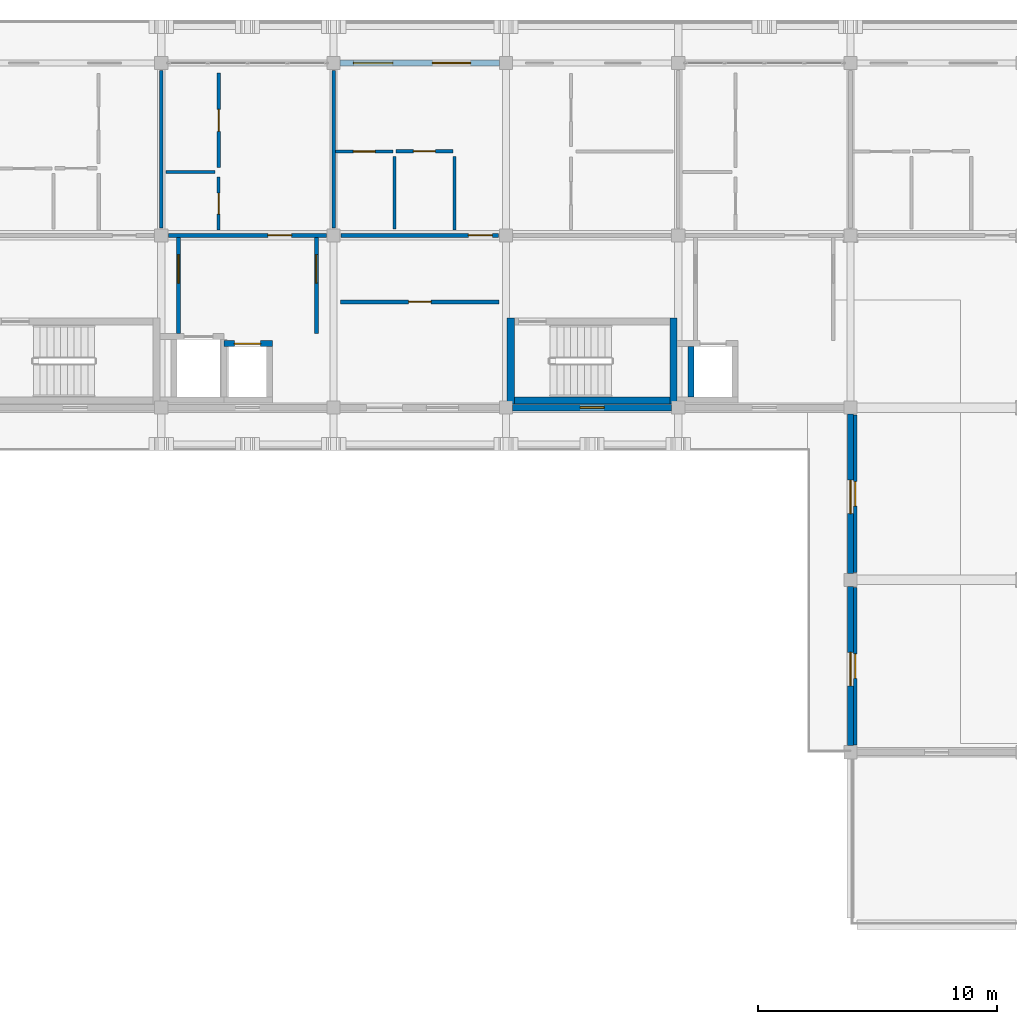
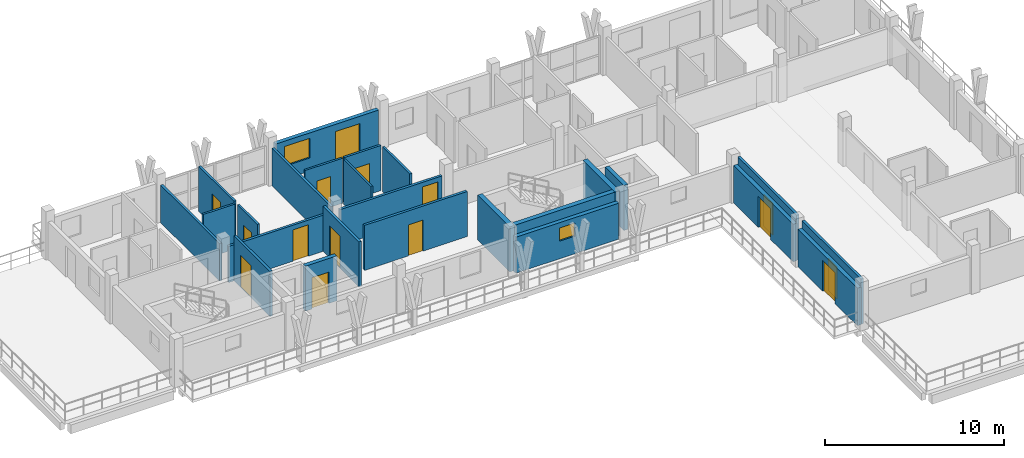
# One storey, part 45 of 60: 25 walls, 15 doors, 2 windows, 17 openings.
"""IFC4 building model written with IfcOpenShell, lengths in metres."""

from ifc_helpers import new_model, si_unit, direction, frame, frame_2d, origin, place, context, subcontext, project, spatial, rectangle, extrude, material, layer, layer_set, type_object, element, fill, save


model = new_model("IFC4")

# Units and contexts
model_context = context("Model", 3, precision=1e-05, world=origin(), true_north=direction((0.0, 1.0)))
body_context = subcontext(model_context, "Body", "Model", "MODEL_VIEW")
ifc_project = project(units=[si_unit("LENGTHUNIT", "METRE"), si_unit("AREAUNIT", "SQUARE_METRE"), si_unit("VOLUMEUNIT", "CUBIC_METRE"), si_unit("PLANEANGLEUNIT", "RADIAN"), si_unit("MASSUNIT", "GRAM", prefix="KILO")], contexts=[model_context])

# Site, building, storey
site_placement = place(None, origin())
site = spatial("IfcSite", under=ifc_project, at=site_placement, CompositionType="ELEMENT")
building_placement = place(site_placement, origin())
building = spatial("IfcBuilding", under=site, at=building_placement, Name="Suanplinth Sawtooth Commons", CompositionType="ELEMENT")
storey_placement = place(building_placement, frame((0.0, 0.0, 31.5)))
storey = spatial("IfcBuildingStorey", under=building, at=storey_placement, Name="L09", CompositionType="ELEMENT", Elevation=31.5)

# Walls
ifc_material_1 = material(Name="Concrete C40/50", Category="concrete")
ifc_layer_1 = layer(ifc_material_1, 0.300048828125, Name="Standard RC stair and lift core wall 300mm")
ifc_layer_set_1 = layer_set([ifc_layer_1], Name="Concrete C40/50")
wall_type_1 = type_object("IfcWallType", Name="W-CR02", PredefinedType="SHEAR", material=ifc_layer_set_1)
wall_1_placement = place(storey_placement, frame((158.75, 108.300048828125, 0.0), z_axis=(0.0, 0.0, 1.0), x_axis=(1.0, 0.0, 0.0)))
element("IfcWall", 1, at=wall_1_placement, inside=storey, type_object=wall_type_1, Name="W-L09-C-B2-STS", PredefinedType="SHEAR", context=body_context, shape_type="SweptSolid", body=[
    extrude(rectangle(XDim=6.5, YDim=0.300048828125, at=frame_2d((3.25, 0.0))), origin(), (0.0, 0.0, 1.0), 3.080078125),
])
for number, where, z_axis, x_axis, name in (
    (2, (158.60009765625, 108.14990234375, 0.0), (0.0, 0.0, 1.0), (0.0, 1.0, 0.0), "W-L09-C-B2-STW"),
    (3, (165.39990234375, 108.14990234375, 0.0), (0.0, 0.0, 1.0), (0.0, 1.0, 0.0), "W-L09-C-B2-STE"),
):
    element("IfcWall", number, at=place(storey_placement, frame(where, z_axis=z_axis, x_axis=x_axis)), inside=storey, type_object=wall_type_1, Name=name, PredefinedType="SHEAR", context=body_context, shape_type="SweptSolid", body=[
        extrude(rectangle(XDim=3.60009765625, YDim=0.300048828125, at=frame_2d((1.800048828125, 0.0))), origin(), (0.0, 0.0, 1.0), 3.080078125),
    ])

# Wall, openings, door, window
ifc_material_2 = material(Name="Precast concrete C40/50", Category="concrete")
ifc_layer_2 = layer(ifc_material_2, 0.260009765625, Name="Insulated precast courtyard facade wall 260mm")
ifc_layer_set_2 = layer_set([ifc_layer_2], Name="Precast concrete C40/50")
wall_type_2 = type_object("IfcWallType", Name="W-EX02", PredefinedType="ELEMENTEDWALL", material=ifc_layer_set_2)
wall_2_placement = place(storey_placement, frame((151.47509765625, 122.39990234375, 0.0), z_axis=(0.0, 0.0, 1.0), x_axis=(1.0, 0.0, 0.0)))
wall_2 = element("IfcWall", 4, at=wall_2_placement, inside=storey, type_object=wall_type_2, Name="Facade Wall W-L09-B-N-21-16", PredefinedType="ELEMENTEDWALL", context=body_context, shape_type="SweptSolid", body=[
    extrude(rectangle(XDim=6.64990234375, YDim=0.260009765625, at=frame_2d((3.324951171875, 0.0))), origin(), (0.0, 0.0, 1.0), 2.614990234375),
])
opening_1_placement = place(wall_2_placement, frame((3.85009765625, 0.0, 0.0)))
opening_1 = element("IfcOpeningElement", 5, at=opening_1_placement, cuts=wall_2, Name="Opening ED0710", PredefinedType="OPENING", context=body_context, shape_type="SweptSolid", body=[
    extrude(rectangle(XDim=1.60009765625, YDim=2.1201171875, at=frame_2d((0.800048828125, 1.06005859375))), frame((0.0, 0.14501953125, 0.0), z_axis=(0.0, -1.0, 0.0), x_axis=(1.0, 0.0, 0.0)), (0.0, 0.0, 1.0), 0.289794921875),
])
opening_2_placement = place(wall_2_placement, frame((0.550048828125, 0.0, 0.89990234375)))
opening_2 = element("IfcOpeningElement", 6, at=opening_2_placement, cuts=wall_2, Name="Opening W0791", PredefinedType="OPENING", context=body_context, shape_type="SweptSolid", body=[
    extrude(rectangle(XDim=1.64990234375, YDim=1.35009765625, at=frame_2d((0.824951171875, 0.675048828125))), frame((0.0, 0.14501953125, 0.0), z_axis=(0.0, -1.0, 0.0), x_axis=(1.0, 0.0, 0.0)), (0.0, 0.0, 1.0), 0.289794921875),
])
ifc_material_3 = material(Name="Anodized aluminium and low-E glass", Category="aluminium")
door_type_1 = type_object("IfcDoorType", Name="SD-02", OperationType="SLIDING_TO_RIGHT", PredefinedType="DOOR", material=ifc_material_3)
door_1_placement = place(opening_1_placement, frame((1.60009765625, 0.0, 0.0), z_axis=(0.0, 0.0, 1.0), x_axis=(-1.0, 0.0, 0.0)))
door_1 = element("IfcDoor", 7, at=door_1_placement, inside=storey, type_object=door_type_1, Name="Balcony Sliding Door L09-B-21", OperationType="SLIDING_TO_RIGHT", OverallHeight=2.1201171875, OverallWidth=1.60009765625, PredefinedType="DOOR", context=body_context, shape_type="SweptSolid", body=[
    extrude(rectangle(XDim=1.60009765625, YDim=2.1201171875, at=frame_2d((0.800048828125, 1.06005859375))), frame((0.0, 0.02490234375, 0.0), z_axis=(0.0, -1.0, 0.0), x_axis=(1.0, 0.0, 0.0)), (0.0, 0.0, 1.0), 0.050048828125),
])
fill(opening_1, door_1)
ifc_material_4 = material(Name="Thermally broken aluminium and low-E double glazing", Category="aluminium")
window_type_1 = type_object("IfcWindowType", Name="WN-19", PartitioningType="DOUBLE_PANEL_VERTICAL", PredefinedType="WINDOW", material=ifc_material_4)
window_1_placement = place(opening_2_placement, origin())
window_1 = element("IfcWindow", 8, at=window_1_placement, inside=storey, type_object=window_type_1, Name="Apartment Window L09-B-21", OverallHeight=1.35009765625, OverallWidth=1.64990234375, PartitioningType="DOUBLE_PANEL_VERTICAL", PredefinedType="WINDOW", context=body_context, shape_type="SweptSolid", body=[
    extrude(rectangle(XDim=1.64990234375, YDim=1.35009765625, at=frame_2d((0.824951171875, 0.675048828125))), frame((0.0, 0.030029296875, 0.0), z_axis=(0.0, -1.0, 0.0), x_axis=(1.0, 0.0, 0.0)), (0.0, 0.0, 1.0), 0.06005859375),
])
fill(opening_2, window_1)

# Wall, opening, window
wall_3_placement = place(storey_placement, frame((158.675048828125, 108.0, 0.0), z_axis=(0.0, 0.0, 1.0), x_axis=(1.0, 0.0, 0.0)))
wall_3 = element("IfcWall", 9, at=wall_3_placement, inside=storey, type_object=wall_type_2, Name="Facade Wall W-L09-B-S-22-15", PredefinedType="ELEMENTEDWALL", context=body_context, shape_type="SweptSolid", body=[
    extrude(rectangle(XDim=6.64990234375, YDim=0.260009765625, at=frame_2d((3.324951171875, 0.0))), origin(), (0.0, 0.0, 1.0), 2.465087890625),
])
opening_3_placement = place(wall_3_placement, frame((2.824951171875, 0.0, 1.199951171875)))
opening_3 = element("IfcOpeningElement", 10, at=opening_3_placement, cuts=wall_3, Name="Opening W0792", PredefinedType="OPENING", context=body_context, shape_type="SweptSolid", body=[
    extrude(rectangle(XDim=1.0, YDim=0.89990234375, at=frame_2d((0.5, 0.449951171875))), frame((0.0, 0.14501953125, 0.0), z_axis=(0.0, -1.0, 0.0), x_axis=(1.0, 0.0, 0.0)), (0.0, 0.0, 1.0), 0.289794921875),
])
window_type_2 = type_object("IfcWindowType", Name="WN-12", PartitioningType="SINGLE_PANEL", PredefinedType="WINDOW", material=ifc_material_4)
window_2_placement = place(opening_3_placement, origin())
window_2 = element("IfcWindow", 11, at=window_2_placement, inside=storey, type_object=window_type_2, Name="Core Daylight Window L09-B-22-15", OverallHeight=0.89990234375, OverallWidth=1.0, PartitioningType="SINGLE_PANEL", PredefinedType="WINDOW", context=body_context, shape_type="SweptSolid", body=[
    extrude(rectangle(XDim=1.0, YDim=0.89990234375, at=frame_2d((0.5, 0.449951171875))), frame((0.0, 0.030029296875, 0.0), z_axis=(0.0, -1.0, 0.0), x_axis=(1.0, 0.0, 0.0)), (0.0, 0.0, 1.0), 0.06005859375),
])
fill(opening_3, window_2)

# Wall, opening, door
wall_4_placement = place(storey_placement, frame((172.800048828125, 93.875, 0.0), z_axis=(0.0, 0.0, 1.0), x_axis=(0.0, 1.0, 0.0)))
wall_4 = element("IfcWall", 12, at=wall_4_placement, inside=storey, type_object=wall_type_2, Name="Facade Wall W-L09-B-W-24-13", PredefinedType="ELEMENTEDWALL", context=body_context, shape_type="SweptSolid", body=[
    extrude(rectangle(XDim=6.64990234375, YDim=0.260009765625, at=frame_2d((3.324951171875, 0.0))), origin(), (0.0, 0.0, 1.0), 2.56494140625),
])
opening_4_placement = place(wall_4_placement, frame((2.5, 0.0, 0.0)))
opening_4 = element("IfcOpeningElement", 13, at=opening_4_placement, cuts=wall_4, Name="Opening ED0712", PredefinedType="OPENING", context=body_context, shape_type="SweptSolid", body=[
    extrude(rectangle(XDim=1.39990234375, YDim=2.10009765625, at=frame_2d((0.699951171875, 1.050048828125))), frame((0.0, 0.14501953125, 0.0), z_axis=(0.0, -1.0, 0.0), x_axis=(1.0, 0.0, 0.0)), (0.0, 0.0, 1.0), 0.289794921875),
])
door_type_2 = type_object("IfcDoorType", Name="SD-07", OperationType="SLIDING_TO_RIGHT", PredefinedType="DOOR", material=ifc_material_3)
door_2_placement = place(opening_4_placement, frame((1.39990234375, 0.0, 0.0), z_axis=(0.0, 0.0, 1.0), x_axis=(-1.0, 0.0, 0.0)))
door_2 = element("IfcDoor", 14, at=door_2_placement, inside=storey, type_object=door_type_2, Name="Courtyard Veranda Studio Balcony Door L09-B-13", OperationType="SLIDING_TO_RIGHT", OverallHeight=2.10009765625, OverallWidth=1.39990234375, PredefinedType="DOOR", context=body_context, shape_type="SweptSolid", body=[
    extrude(rectangle(XDim=1.39990234375, YDim=2.10009765625, at=frame_2d((0.699951171875, 1.050048828125))), frame((0.0, 0.02490234375, 0.0), z_axis=(0.0, -1.0, 0.0), x_axis=(1.0, 0.0, 0.0)), (0.0, 0.0, 1.0), 0.050048828125),
])
fill(opening_4, door_2)

wall_5_placement = place(storey_placement, frame((172.800048828125, 101.074951171875, 0.0), z_axis=(0.0, 0.0, 1.0), x_axis=(0.0, 1.0, 0.0)))
wall_5 = element("IfcWall", 15, at=wall_5_placement, inside=storey, type_object=wall_type_2, Name="Facade Wall W-L09-B-W-24-14", PredefinedType="ELEMENTEDWALL", context=body_context, shape_type="SweptSolid", body=[
    extrude(rectangle(XDim=6.650146484375, YDim=0.260009765625, at=frame_2d((3.3251953125, 0.0))), origin(), (0.0, 0.0, 1.0), 2.56494140625),
])
opening_5_placement = place(wall_5_placement, frame((2.5, 0.0, 0.0)))
opening_5 = element("IfcOpeningElement", 16, at=opening_5_placement, cuts=wall_5, Name="Opening ED0713", PredefinedType="OPENING", context=body_context, shape_type="SweptSolid", body=[
    extrude(rectangle(XDim=1.39990234375, YDim=2.10009765625, at=frame_2d((0.699951171875, 1.050048828125))), frame((0.0, 0.14501953125, 0.0), z_axis=(0.0, -1.0, 0.0), x_axis=(1.0, 0.0, 0.0)), (0.0, 0.0, 1.0), 0.289794921875),
])
door_3_placement = place(opening_5_placement, frame((1.39990234375, 0.0, 0.0), z_axis=(0.0, 0.0, 1.0), x_axis=(-1.0, 0.0, 0.0)))
door_3 = element("IfcDoor", 17, at=door_3_placement, inside=storey, type_object=door_type_2, Name="Courtyard Veranda Studio Balcony Door L09-B-14", OperationType="SLIDING_TO_RIGHT", OverallHeight=2.10009765625, OverallWidth=1.39990234375, PredefinedType="DOOR", context=body_context, shape_type="SweptSolid", body=[
    extrude(rectangle(XDim=1.39990234375, YDim=2.10009765625, at=frame_2d((0.699951171875, 1.050048828125))), frame((0.0, 0.02490234375, 0.0), z_axis=(0.0, -1.0, 0.0), x_axis=(1.0, 0.0, 0.0)), (0.0, 0.0, 1.0), 0.050048828125),
])
fill(opening_5, door_3)

ifc_layer_3 = layer(ifc_material_2, 0.159912109375, Name="Fire-rated corridor and lobby wall 160mm")
ifc_layer_set_3 = layer_set([ifc_layer_3], Name="Precast concrete C40/50")
wall_type_3 = type_object("IfcWallType", Name="W-FW01", PredefinedType="PARTITIONING", material=ifc_layer_set_3)
wall_6_placement = place(storey_placement, frame((144.719970703125, 111.10009765625, 0.0), z_axis=(0.0, 0.0, 1.0), x_axis=(0.0, 1.0, 0.0)))
wall_6 = element("IfcWall", 18, at=wall_6_placement, inside=storey, type_object=wall_type_3, Name="W-L09-C-B1-LOB-W", PredefinedType="PARTITIONING", context=body_context, shape_type="SweptSolid", body=[
    extrude(rectangle(XDim=4.02001953125, YDim=0.159912109375, at=frame_2d((2.010009765625, 0.0))), origin(), (0.0, 0.0, 1.0), 3.080078125),
])
opening_6_placement = place(wall_6_placement, frame((2.10009765625, 0.0, 0.0)))
opening_6 = element("IfcOpeningElement", 19, at=opening_6_placement, cuts=wall_6, Name="Opening FD0205", PredefinedType="OPENING", context=body_context, shape_type="SweptSolid", body=[
    extrude(rectangle(XDim=1.199951171875, YDim=2.199951171875, at=frame_2d((0.60009765625, 1.10009765625))), frame((0.0, 0.0947265625, 0.0), z_axis=(0.0, -1.0, 0.0), x_axis=(1.0, 0.0, 0.0)), (0.0, 0.0, 1.0), 0.189697265625),
])
ifc_material_5 = material(Name="Teak hardwood fire-rated door assembly", Category="wood")
door_type_3 = type_object("IfcDoorType", Name="FD-02", OperationType="NOTDEFINED", PredefinedType="DOOR", material=ifc_material_5)
door_4_placement = place(opening_6_placement, origin())
door_4 = element("IfcDoor", 20, at=door_4_placement, inside=storey, type_object=door_type_3, Name="Lobby Fire Door FD0205", OperationType="SINGLE_SWING_LEFT", OverallHeight=2.199951171875, OverallWidth=1.199951171875, PredefinedType="DOOR", context=body_context, shape_type="SweptSolid", body=[
    extrude(rectangle(XDim=1.199951171875, YDim=2.199951171875, at=frame_2d((0.60009765625, 1.10009765625))), frame((0.0, 0.02490234375, 0.0), z_axis=(0.0, -1.0, 0.0), x_axis=(1.0, 0.0, 0.0)), (0.0, 0.0, 1.0), 0.050048828125),
])
fill(opening_6, door_4)

wall_7_placement = place(storey_placement, frame((150.47998046875, 111.10009765625, 0.0), z_axis=(0.0, 0.0, 1.0), x_axis=(0.0, 1.0, 0.0)))
wall_7 = element("IfcWall", 21, at=wall_7_placement, inside=storey, type_object=wall_type_3, Name="W-L09-C-B1-LOB-E", PredefinedType="PARTITIONING", context=body_context, shape_type="SweptSolid", body=[
    extrude(rectangle(XDim=4.02001953125, YDim=0.159912109375, at=frame_2d((2.010009765625, 0.0))), origin(), (0.0, 0.0, 1.0), 3.080078125),
])
opening_7_placement = place(wall_7_placement, frame((2.10009765625, 0.0, 0.0)))
opening_7 = element("IfcOpeningElement", 22, at=opening_7_placement, cuts=wall_7, Name="Opening FD0206", PredefinedType="OPENING", context=body_context, shape_type="SweptSolid", body=[
    extrude(rectangle(XDim=1.199951171875, YDim=2.199951171875, at=frame_2d((0.60009765625, 1.10009765625))), frame((0.0, 0.0947265625, 0.0), z_axis=(0.0, -1.0, 0.0), x_axis=(1.0, 0.0, 0.0)), (0.0, 0.0, 1.0), 0.189697265625),
])
door_5_placement = place(opening_7_placement, frame((1.199951171875, 0.0, 0.0), z_axis=(0.0, 0.0, 1.0), x_axis=(-1.0, 0.0, 0.0)))
door_5 = element("IfcDoor", 23, at=door_5_placement, inside=storey, type_object=door_type_3, Name="Lobby Fire Door FD0206", OperationType="SINGLE_SWING_RIGHT", OverallHeight=2.199951171875, OverallWidth=1.199951171875, PredefinedType="DOOR", context=body_context, shape_type="SweptSolid", body=[
    extrude(rectangle(XDim=1.199951171875, YDim=2.199951171875, at=frame_2d((0.60009765625, 1.10009765625))), frame((0.0, 0.02490234375, 0.0), z_axis=(0.0, -1.0, 0.0), x_axis=(1.0, 0.0, 0.0)), (0.0, 0.0, 1.0), 0.050048828125),
])
fill(opening_7, door_5)

wall_8_placement = place(storey_placement, frame((144.304931640625, 115.199951171875, 0.0), z_axis=(0.0, 0.0, 1.0), x_axis=(1.0, 0.0, 0.0)))
wall_8 = element("IfcWall", 24, at=wall_8_placement, inside=storey, type_object=wall_type_3, Name="W-B-L09-U02-COR", PredefinedType="PARTITIONING", context=body_context, shape_type="SweptSolid", body=[
    extrude(rectangle(XDim=6.590087890625, YDim=0.159912109375, at=frame_2d((3.294921875, 0.0))), origin(), (0.0, 0.0, 1.0), 2.465087890625),
])
opening_8_placement = place(wall_8_placement, frame((4.14501953125, 0.0, 0.0)))
opening_8 = element("IfcOpeningElement", 25, at=opening_8_placement, cuts=wall_8, Name="Opening FD1797", PredefinedType="OPENING", context=body_context, shape_type="SweptSolid", body=[
    extrude(rectangle(XDim=1.0, YDim=2.14990234375, at=frame_2d((0.5, 1.074951171875))), frame((0.0, 0.0947265625, 0.0), z_axis=(0.0, -1.0, 0.0), x_axis=(1.0, 0.0, 0.0)), (0.0, 0.0, 1.0), 0.189697265625),
])
door_type_4 = type_object("IfcDoorType", Name="FD-03", OperationType="NOTDEFINED", PredefinedType="DOOR", material=ifc_material_5)
door_6_placement = place(opening_8_placement, origin())
door_6 = element("IfcDoor", 26, at=door_6_placement, inside=storey, type_object=door_type_4, Name="Unit Entrance Door FD1797", OperationType="SINGLE_SWING_LEFT", OverallHeight=2.14990234375, OverallWidth=1.0, PredefinedType="DOOR", context=body_context, shape_type="SweptSolid", body=[
    extrude(rectangle(XDim=1.0, YDim=2.14990234375, at=frame_2d((0.5, 1.074951171875))), frame((0.0, 0.02490234375, 0.0), z_axis=(0.0, -1.0, 0.0), x_axis=(1.0, 0.0, 0.0)), (0.0, 0.0, 1.0), 0.050048828125),
])
fill(opening_8, door_6)

wall_9_placement = place(storey_placement, frame((151.5048828125, 115.199951171875, 0.0), z_axis=(0.0, 0.0, 1.0), x_axis=(1.0, 0.0, 0.0)))
wall_9 = element("IfcWall", 27, at=wall_9_placement, inside=storey, type_object=wall_type_3, Name="W-B-L09-U03-COR-S1", PredefinedType="PARTITIONING", context=body_context, shape_type="SweptSolid", body=[
    extrude(rectangle(XDim=6.590087890625, YDim=0.159912109375, at=frame_2d((3.294921875, 0.0))), origin(), (0.0, 0.0, 1.0), 2.465087890625),
])
opening_9_placement = place(wall_9_placement, frame((5.324951171875, 0.0, 0.0)))
opening_9 = element("IfcOpeningElement", 28, at=opening_9_placement, cuts=wall_9, Name="Opening FD1800", PredefinedType="OPENING", context=body_context, shape_type="SweptSolid", body=[
    extrude(rectangle(XDim=1.0, YDim=2.14990234375, at=frame_2d((0.5, 1.074951171875))), frame((0.0, 0.0947265625, 0.0), z_axis=(0.0, -1.0, 0.0), x_axis=(1.0, 0.0, 0.0)), (0.0, 0.0, 1.0), 0.189697265625),
])
door_7_placement = place(opening_9_placement, origin())
door_7 = element("IfcDoor", 29, at=door_7_placement, inside=storey, type_object=door_type_4, Name="Unit Entrance Door FD1800", OperationType="SINGLE_SWING_RIGHT", OverallHeight=2.14990234375, OverallWidth=1.0, PredefinedType="DOOR", context=body_context, shape_type="SweptSolid", body=[
    extrude(rectangle(XDim=1.0, YDim=2.14990234375, at=frame_2d((0.5, 1.074951171875))), frame((0.0, 0.02490234375, 0.0), z_axis=(0.0, -1.0, 0.0), x_axis=(1.0, 0.0, 0.0)), (0.0, 0.0, 1.0), 0.050048828125),
])
fill(opening_9, door_7)

wall_10_placement = place(storey_placement, frame((151.47998046875, 112.419921875, 0.0), z_axis=(0.0, 0.0, 1.0), x_axis=(1.0, 0.0, 0.0)))
wall_10 = element("IfcWall", 30, at=wall_10_placement, inside=storey, type_object=wall_type_3, Name="W-B-L09-COURTROOM-21-COR", PredefinedType="PARTITIONING", context=body_context, shape_type="SweptSolid", body=[
    extrude(rectangle(XDim=6.64013671875, YDim=0.159912109375, at=frame_2d((3.320068359375, 0.0))), origin(), (0.0, 0.0, 1.0), 3.080078125),
])
opening_10_placement = place(wall_10_placement, frame((2.85009765625, 0.0, 0.0)))
opening_10 = element("IfcOpeningElement", 31, at=opening_10_placement, cuts=wall_10, Name="Opening D1813", PredefinedType="OPENING", context=body_context, shape_type="SweptSolid", body=[
    extrude(rectangle(XDim=0.93994140625, YDim=2.1201171875, at=frame_2d((0.469970703125, 1.06005859375))), frame((0.0, 0.0947265625, 0.0), z_axis=(0.0, -1.0, 0.0), x_axis=(1.0, 0.0, 0.0)), (0.0, 0.0, 1.0), 0.189697265625),
])
ifc_material_6 = material(Name="Teak hardwood", Category="wood")
door_type_5 = type_object("IfcDoorType", Name="D-15", OperationType="NOTDEFINED", PredefinedType="DOOR", material=ifc_material_6)
door_8_placement = place(opening_10_placement, frame((0.93994140625, 0.0, 0.0), z_axis=(0.0, 0.0, 1.0), x_axis=(-1.0, 0.0, 0.0)))
door_8 = element("IfcDoor", 32, at=door_8_placement, inside=storey, type_object=door_type_5, Name="Study Studio Door D1813", OperationType="SINGLE_SWING_LEFT", OverallHeight=2.1201171875, OverallWidth=0.93994140625, PredefinedType="DOOR", context=body_context, shape_type="SweptSolid", body=[
    extrude(rectangle(XDim=0.93994140625, YDim=2.1201171875, at=frame_2d((0.469970703125, 1.06005859375))), frame((0.0, 0.02490234375, 0.0), z_axis=(0.0, -1.0, 0.0), x_axis=(1.0, 0.0, 0.0)), (0.0, 0.0, 1.0), 0.050048828125),
])
fill(opening_10, door_8)

wall_11_placement = place(storey_placement, frame((173.0, 93.905029296875, 0.0), z_axis=(0.0, 0.0, 1.0), x_axis=(0.0, 1.0, 0.0)))
wall_11 = element("IfcWall", 33, at=wall_11_placement, inside=storey, type_object=wall_type_3, Name="W-B-L09-LEGCOURTROOM-23-COR", PredefinedType="PARTITIONING", context=body_context, shape_type="SweptSolid", body=[
    extrude(rectangle(XDim=6.590087890625, YDim=0.159912109375, at=frame_2d((3.294921875, 0.0))), origin(), (0.0, 0.0, 1.0), 3.080078125),
])
opening_11_placement = place(wall_11_placement, frame((2.784912109375, 0.0, 0.0)))
opening_11 = element("IfcOpeningElement", 34, at=opening_11_placement, cuts=wall_11, Name="Opening D1816", PredefinedType="OPENING", context=body_context, shape_type="SweptSolid", body=[
    extrude(rectangle(XDim=1.02001953125, YDim=2.179931640625, at=frame_2d((0.510009765625, 1.08984375))), frame((0.0, 0.0947265625, 0.0), z_axis=(0.0, -1.0, 0.0), x_axis=(1.0, 0.0, 0.0)), (0.0, 0.0, 1.0), 0.189697265625),
])
door_type_6 = type_object("IfcDoorType", Name="D-16", OperationType="NOTDEFINED", PredefinedType="DOOR", material=ifc_material_6)
door_9_placement = place(opening_11_placement, origin())
door_9 = element("IfcDoor", 35, at=door_9_placement, inside=storey, type_object=door_type_6, Name="Veranda Studio Door D1816", OperationType="SINGLE_SWING_RIGHT", OverallHeight=2.179931640625, OverallWidth=1.02001953125, PredefinedType="DOOR", context=body_context, shape_type="SweptSolid", body=[
    extrude(rectangle(XDim=1.02001953125, YDim=2.179931640625, at=frame_2d((0.510009765625, 1.08984375))), frame((0.0, 0.02490234375, 0.0), z_axis=(0.0, -1.0, 0.0), x_axis=(1.0, 0.0, 0.0)), (0.0, 0.0, 1.0), 0.050048828125),
])
fill(opening_11, door_9)

wall_12_placement = place(storey_placement, frame((173.0, 101.10498046875, 0.0), z_axis=(0.0, 0.0, 1.0), x_axis=(0.0, 1.0, 0.0)))
wall_12 = element("IfcWall", 36, at=wall_12_placement, inside=storey, type_object=wall_type_3, Name="W-B-L09-LEGCOURTROOM-25-COR", PredefinedType="PARTITIONING", context=body_context, shape_type="SweptSolid", body=[
    extrude(rectangle(XDim=6.590087890625, YDim=0.159912109375, at=frame_2d((3.294921875, 0.0))), origin(), (0.0, 0.0, 1.0), 3.080078125),
])
opening_12_placement = place(wall_12_placement, frame((2.784912109375, 0.0, 0.0)))
opening_12 = element("IfcOpeningElement", 37, at=opening_12_placement, cuts=wall_12, Name="Opening D1819", PredefinedType="OPENING", context=body_context, shape_type="SweptSolid", body=[
    extrude(rectangle(XDim=1.02001953125, YDim=2.179931640625, at=frame_2d((0.510009765625, 1.08984375))), frame((0.0, 0.0947265625, 0.0), z_axis=(0.0, -1.0, 0.0), x_axis=(1.0, 0.0, 0.0)), (0.0, 0.0, 1.0), 0.189697265625),
])
door_10_placement = place(opening_12_placement, origin())
door_10 = element("IfcDoor", 38, at=door_10_placement, inside=storey, type_object=door_type_6, Name="Veranda Studio Door D1819", OperationType="SINGLE_SWING_LEFT", OverallHeight=2.179931640625, OverallWidth=1.02001953125, PredefinedType="DOOR", context=body_context, shape_type="SweptSolid", body=[
    extrude(rectangle(XDim=1.02001953125, YDim=2.179931640625, at=frame_2d((0.510009765625, 1.08984375))), frame((0.0, 0.02490234375, 0.0), z_axis=(0.0, -1.0, 0.0), x_axis=(1.0, 0.0, 0.0)), (0.0, 0.0, 1.0), 0.050048828125),
])
fill(opening_12, door_10)

# Walls
ifc_layer_4 = layer(ifc_material_2, 0.14990234375, Name="Acoustic precast party demising wall 150mm")
ifc_layer_set_4 = layer_set([ifc_layer_4], Name="Precast concrete C40/50")
wall_type_4 = type_object("IfcWallType", Name="W-FW02", PredefinedType="PARTITIONING", material=ifc_layer_set_4)
for number, where, z_axis, x_axis, name in (
    (39, (144.0, 115.5048828125, 0.0), (0.0, 0.0, 1.0), (0.0, 1.0, 0.0), "W-B-L09-U01-PTY"),
    (40, (151.199951171875, 115.5048828125, 0.0), (0.0, 0.0, 1.0), (0.0, 1.0, 0.0), "W-B-L09-U02-PTY"),
):
    element("IfcWall", number, at=place(storey_placement, frame(where, z_axis=z_axis, x_axis=x_axis)), inside=storey, type_object=wall_type_4, Name=name, PredefinedType="PARTITIONING", context=body_context, shape_type="SweptSolid", body=[
        extrude(rectangle(XDim=6.590087890625, YDim=0.14990234375, at=frame_2d((3.294921875, 0.0))), origin(), (0.0, 0.0, 1.0), 2.56494140625),
    ])

# Wall, opening, door
ifc_material_7 = material(Name="Gypsum plasterboard on steel stud", Category="steel")
ifc_layer_5 = layer(ifc_material_7, 0.139892578125, Name="Fire-rated kitchen partition 140mm")
ifc_layer_set_5 = layer_set([ifc_layer_5], Name="Gypsum plasterboard on steel stud")
wall_type_5 = type_object("IfcWallType", Name="W-PT01", PredefinedType="PARTITIONING", material=ifc_layer_set_5)
wall_13_placement = place(storey_placement, frame((146.39501953125, 118.0400390625, 0.0), z_axis=(0.0, 0.0, 1.0), x_axis=(0.0, 1.0, 0.0)))
wall_13 = element("IfcWall", 41, at=wall_13_placement, inside=storey, type_object=wall_type_5, Name="W-B-L09-U02-KITE", PredefinedType="PARTITIONING", context=body_context, shape_type="SweptSolid", body=[
    extrude(rectangle(XDim=3.93994140625, YDim=0.139892578125, at=frame_2d((1.969970703125, 0.0))), origin(), (0.0, 0.0, 1.0), 3.080078125),
])
opening_13_placement = place(wall_13_placement, frame((1.510009765625, 0.0, 0.0)))
opening_13 = element("IfcOpeningElement", 42, at=opening_13_placement, cuts=wall_13, Name="Opening D1799", PredefinedType="OPENING", context=body_context, shape_type="SweptSolid", body=[
    extrude(rectangle(XDim=0.919921875, YDim=2.10009765625, at=frame_2d((0.4599609375, 1.050048828125))), frame((0.0, 0.0849609375, 0.0), z_axis=(0.0, -1.0, 0.0), x_axis=(1.0, 0.0, 0.0)), (0.0, 0.0, 1.0), 0.169677734375),
])
door_type_7 = type_object("IfcDoorType", Name="D-02", OperationType="NOTDEFINED", PredefinedType="DOOR", material=ifc_material_6)
door_11_placement = place(opening_13_placement, origin())
door_11 = element("IfcDoor", 43, at=door_11_placement, inside=storey, type_object=door_type_7, Name="Kitchen Door D1799", OperationType="SINGLE_SWING_LEFT", OverallHeight=2.10009765625, OverallWidth=0.919921875, PredefinedType="DOOR", context=body_context, shape_type="SweptSolid", body=[
    extrude(rectangle(XDim=0.919921875, YDim=2.10009765625, at=frame_2d((0.4599609375, 1.050048828125))), frame((0.0, 0.02490234375, 0.0), z_axis=(0.0, -1.0, 0.0), x_axis=(1.0, 0.0, 0.0)), (0.0, 0.0, 1.0), 0.050048828125),
])
fill(opening_13, door_11)

wall_14_placement = place(storey_placement, frame((153.800048828125, 118.7099609375, 0.0), z_axis=(0.0, 0.0, 1.0), x_axis=(1.0, 0.0, 0.0)))
wall_14 = element("IfcWall", 44, at=wall_14_placement, inside=storey, type_object=wall_type_5, Name="W-B-L09-U03-KIT1", PredefinedType="PARTITIONING", context=body_context, shape_type="SweptSolid", body=[
    extrude(rectangle(XDim=2.3798828125, YDim=0.139892578125, at=frame_2d((1.18994140625, 0.0))), origin(), (0.0, 0.0, 1.0), 3.080078125),
])
opening_14_placement = place(wall_14_placement, frame((0.72998046875, 0.0, 0.0)))
opening_14 = element("IfcOpeningElement", 45, at=opening_14_placement, cuts=wall_14, Name="Opening D1802", PredefinedType="OPENING", context=body_context, shape_type="SweptSolid", body=[
    extrude(rectangle(XDim=0.919921875, YDim=2.10009765625, at=frame_2d((0.4599609375, 1.050048828125))), frame((0.0, 0.0849609375, 0.0), z_axis=(0.0, -1.0, 0.0), x_axis=(1.0, 0.0, 0.0)), (0.0, 0.0, 1.0), 0.169677734375),
])
door_12_placement = place(opening_14_placement, frame((0.919921875, 0.0, 0.0), z_axis=(0.0, 0.0, 1.0), x_axis=(-1.0, 0.0, 0.0)))
door_12 = element("IfcDoor", 46, at=door_12_placement, inside=storey, type_object=door_type_7, Name="Kitchen Door D1802", OperationType="SINGLE_SWING_RIGHT", OverallHeight=2.10009765625, OverallWidth=0.919921875, PredefinedType="DOOR", context=body_context, shape_type="SweptSolid", body=[
    extrude(rectangle(XDim=0.919921875, YDim=2.10009765625, at=frame_2d((0.4599609375, 1.050048828125))), frame((0.0, 0.02490234375, 0.0), z_axis=(0.0, -1.0, 0.0), x_axis=(1.0, 0.0, 0.0)), (0.0, 0.0, 1.0), 0.050048828125),
])
fill(opening_14, door_12)

# Walls
wall_15_placement = place(storey_placement, frame((156.25, 115.429931640625, 0.0), z_axis=(0.0, 0.0, 1.0), x_axis=(0.0, 1.0, 0.0)))
element("IfcWall", 47, at=wall_15_placement, inside=storey, type_object=wall_type_5, Name="W-B-L09-U03-KIT2", PredefinedType="PARTITIONING", context=body_context, shape_type="SweptSolid", body=[
    extrude(rectangle(XDim=3.06005859375, YDim=0.139892578125, at=frame_2d((1.530029296875, 0.0))), origin(), (0.0, 0.0, 1.0), 3.080078125),
])
ifc_layer_6 = layer(ifc_material_7, 0.1298828125, Name="Moisture-resistant bathroom partition 130mm")
ifc_layer_set_6 = layer_set([ifc_layer_6], Name="Gypsum plasterboard on steel stud")
wall_type_6 = type_object("IfcWallType", Name="W-PT02", PredefinedType="PARTITIONING", material=ifc_layer_set_6)
wall_16_placement = place(storey_placement, frame((144.199951171875, 117.840087890625, 0.0), z_axis=(0.0, 0.0, 1.0), x_axis=(1.0, 0.0, 0.0)))
element("IfcWall", 48, at=wall_16_placement, inside=storey, type_object=wall_type_6, Name="W-B-L09-U02-STDIV", PredefinedType="PARTITIONING", context=body_context, shape_type="SweptSolid", body=[
    extrude(rectangle(XDim=2.050048828125, YDim=0.1298828125, at=frame_2d((1.02490234375, 0.0))), origin(), (0.0, 0.0, 1.0), 3.080078125),
])

# Wall, opening, door
wall_17_placement = place(storey_placement, frame((146.39501953125, 115.419921875, 0.0), z_axis=(0.0, 0.0, 1.0), x_axis=(0.0, 1.0, 0.0)))
wall_17 = element("IfcWall", 49, at=wall_17_placement, inside=storey, type_object=wall_type_6, Name="W-B-L09-U02-BTHE", PredefinedType="PARTITIONING", context=body_context, shape_type="SweptSolid", body=[
    extrude(rectangle(XDim=2.219970703125, YDim=0.1298828125, at=frame_2d((1.10986328125, 0.0))), origin(), (0.0, 0.0, 1.0), 3.080078125),
])
opening_15_placement = place(wall_17_placement, frame((0.669921875, 0.0, 0.0)))
opening_15 = element("IfcOpeningElement", 50, at=opening_15_placement, cuts=wall_17, Name="Opening D1798", PredefinedType="OPENING", context=body_context, shape_type="SweptSolid", body=[
    extrude(rectangle(XDim=0.8798828125, YDim=2.10009765625, at=frame_2d((0.43994140625, 1.050048828125))), frame((0.0, 0.079833984375, 0.0), z_axis=(0.0, -1.0, 0.0), x_axis=(1.0, 0.0, 0.0)), (0.0, 0.0, 1.0), 0.15966796875),
])
door_type_8 = type_object("IfcDoorType", Name="D-14", OperationType="NOTDEFINED", PredefinedType="DOOR", material=ifc_material_6)
door_13_placement = place(opening_15_placement, origin())
door_13 = element("IfcDoor", 51, at=door_13_placement, inside=storey, type_object=door_type_8, Name="Bathroom Door D1798", OperationType="SINGLE_SWING_RIGHT", OverallHeight=2.10009765625, OverallWidth=0.8798828125, PredefinedType="DOOR", context=body_context, shape_type="SweptSolid", body=[
    extrude(rectangle(XDim=0.8798828125, YDim=2.10009765625, at=frame_2d((0.43994140625, 1.050048828125))), frame((0.0, 0.02490234375, 0.0), z_axis=(0.0, -1.0, 0.0), x_axis=(1.0, 0.0, 0.0)), (0.0, 0.0, 1.0), 0.050048828125),
])
fill(opening_15, door_13)

wall_18_placement = place(storey_placement, frame((151.280029296875, 118.705078125, 0.0), z_axis=(0.0, 0.0, 1.0), x_axis=(1.0, 0.0, 0.0)))
wall_18 = element("IfcWall", 52, at=wall_18_placement, inside=storey, type_object=wall_type_6, Name="W-B-L09-U03-BTH1", PredefinedType="PARTITIONING", context=body_context, shape_type="SweptSolid", body=[
    extrude(rectangle(XDim=2.39990234375, YDim=0.1298828125, at=frame_2d((1.199951171875, 0.0))), origin(), (0.0, 0.0, 1.0), 3.080078125),
])
opening_16_placement = place(wall_18_placement, frame((0.75, 0.0, 0.0)))
opening_16 = element("IfcOpeningElement", 53, at=opening_16_placement, cuts=wall_18, Name="Opening D1801", PredefinedType="OPENING", context=body_context, shape_type="SweptSolid", body=[
    extrude(rectangle(XDim=0.89990234375, YDim=2.10009765625, at=frame_2d((0.449951171875, 1.050048828125))), frame((0.0, 0.079833984375, 0.0), z_axis=(0.0, -1.0, 0.0), x_axis=(1.0, 0.0, 0.0)), (0.0, 0.0, 1.0), 0.15966796875),
])
door_type_9 = type_object("IfcDoorType", Name="D-01", OperationType="NOTDEFINED", PredefinedType="DOOR", material=ifc_material_6)
door_14_placement = place(opening_16_placement, frame((0.89990234375, 0.0, 0.0), z_axis=(0.0, 0.0, 1.0), x_axis=(-1.0, 0.0, 0.0)))
door_14 = element("IfcDoor", 54, at=door_14_placement, inside=storey, type_object=door_type_9, Name="Bathroom Door D1801", OperationType="SINGLE_SWING_LEFT", OverallHeight=2.10009765625, OverallWidth=0.89990234375, PredefinedType="DOOR", context=body_context, shape_type="SweptSolid", body=[
    extrude(rectangle(XDim=0.89990234375, YDim=2.10009765625, at=frame_2d((0.449951171875, 1.050048828125))), frame((0.0, 0.02490234375, 0.0), z_axis=(0.0, -1.0, 0.0), x_axis=(1.0, 0.0, 0.0)), (0.0, 0.0, 1.0), 0.050048828125),
])
fill(opening_16, door_14)

# Wall
wall_19_placement = place(storey_placement, frame((153.7451171875, 115.4599609375, 0.0), z_axis=(0.0, 0.0, 1.0), x_axis=(0.0, 1.0, 0.0)))
element("IfcWall", 55, at=wall_19_placement, inside=storey, type_object=wall_type_6, Name="W-B-L09-U03-BTH2", PredefinedType="PARTITIONING", context=body_context, shape_type="SweptSolid", body=[
    extrude(rectangle(XDim=3.0400390625, YDim=0.1298828125, at=frame_2d((1.52001953125, 0.0))), origin(), (0.0, 0.0, 1.0), 3.080078125),
])

# Wall, opening, door
ifc_layer_7 = layer(ifc_material_2, 0.25, Name="Precast structural shear wall 250mm")
ifc_layer_set_7 = layer_set([ifc_layer_7], Name="Precast concrete C40/50")
wall_type_7 = type_object("IfcWallType", Name="W-SH01", PredefinedType="SHEAR", material=ifc_layer_set_7)
wall_20_placement = place(storey_placement, frame((146.625, 110.675048828125, 0.0), z_axis=(0.0, 0.0, 1.0), x_axis=(1.0, 0.0, 0.0)))
wall_20 = element("IfcWall", 56, at=wall_20_placement, inside=storey, type_object=wall_type_7, Name="W-L09-LF3-N", PredefinedType="SHEAR", context=body_context, shape_type="SweptSolid", body=[
    extrude(rectangle(XDim=2.02490234375, YDim=0.25, at=frame_2d((1.012451171875, 0.0))), origin(), (0.0, 0.0, 1.0), 3.080078125),
])
opening_17_placement = place(wall_20_placement, frame((0.425048828125, 0.0, 0.0)))
opening_17 = element("IfcOpeningElement", 57, at=opening_17_placement, cuts=wall_20, Name="Opening LD0208", PredefinedType="OPENING", context=body_context, shape_type="SweptSolid", body=[
    extrude(rectangle(XDim=1.10009765625, YDim=2.14990234375, at=frame_2d((0.550048828125, 1.074951171875))), frame((0.0, 0.139892578125, 0.0), z_axis=(0.0, -1.0, 0.0), x_axis=(1.0, 0.0, 0.0)), (0.0, 0.0, 1.0), 0.27978515625),
])
ifc_material_8 = material(Name="Stainless steel Grade 304", Category="steel")
door_type_10 = type_object("IfcDoorType", Name="LD-01", OperationType="SLIDING_TO_LEFT", PredefinedType="DOOR", material=ifc_material_8)
door_15_placement = place(opening_17_placement, origin())
door_15 = element("IfcDoor", 58, at=door_15_placement, inside=storey, type_object=door_type_10, Name="Lift Landing Sliding Door LF3 L09", OperationType="SLIDING_TO_LEFT", OverallHeight=2.14990234375, OverallWidth=1.10009765625, PredefinedType="DOOR", context=body_context, shape_type="SweptSolid", body=[
    extrude(rectangle(XDim=1.10009765625, YDim=2.14990234375, at=frame_2d((0.550048828125, 1.074951171875))), frame((0.0, 0.02490234375, 0.0), z_axis=(0.0, -1.0, 0.0), x_axis=(1.0, 0.0, 0.0)), (0.0, 0.0, 1.0), 0.050048828125),
])
fill(opening_17, door_15)

# Wall
wall_21_placement = place(storey_placement, frame((166.125, 108.449951171875, 0.0), z_axis=(0.0, 0.0, 1.0), x_axis=(0.0, 1.0, 0.0)))
element("IfcWall", 59, at=wall_21_placement, inside=storey, type_object=wall_type_7, Name="W-L09-LF4-W", PredefinedType="SHEAR", context=body_context, shape_type="SweptSolid", body=[
    extrude(rectangle(XDim=2.10009765625, YDim=0.25, at=frame_2d((1.050048828125, 0.0))), origin(), (0.0, 0.0, 1.0), 3.080078125),
])

save(model, "model.ifc")
